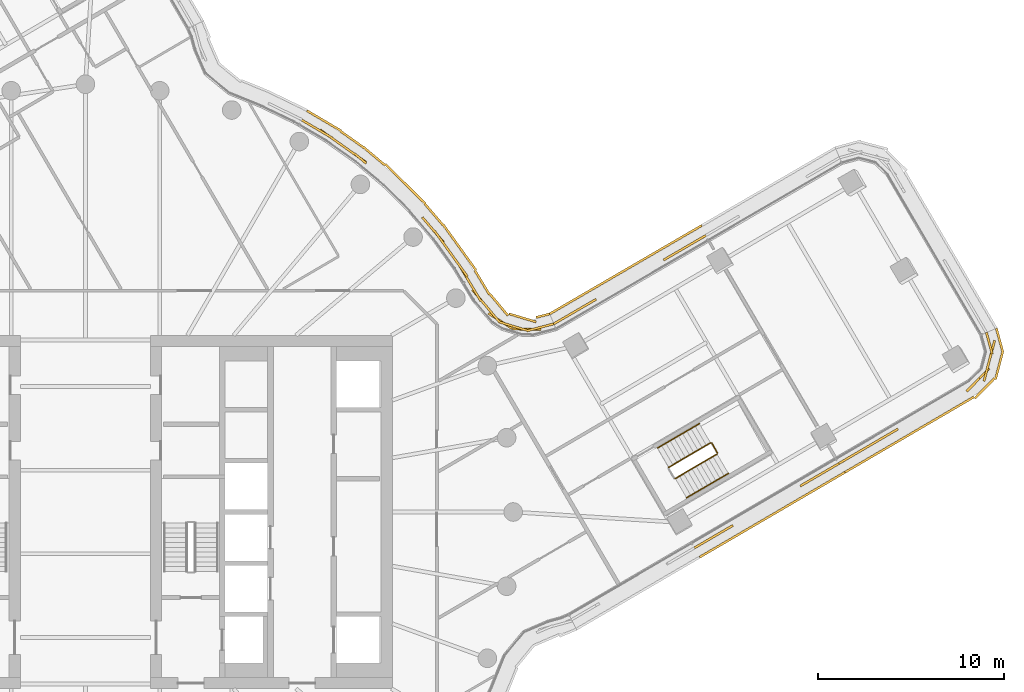
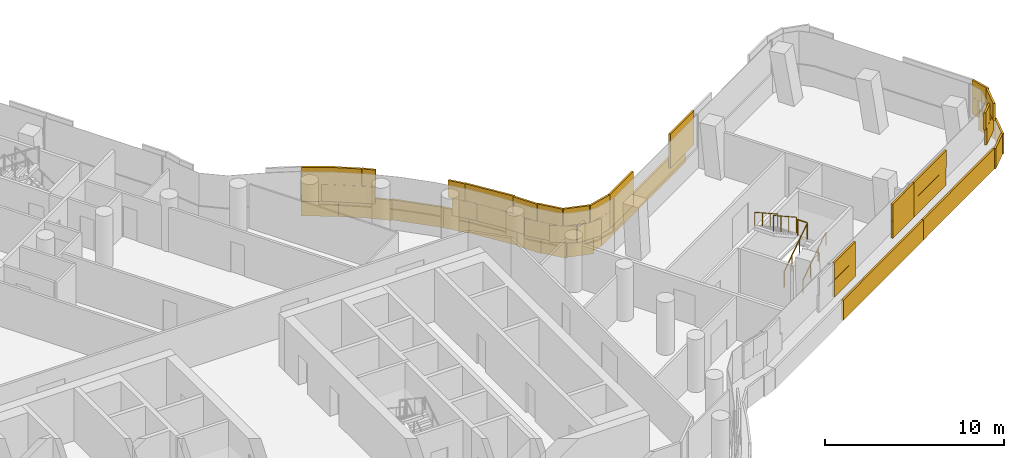
# One storey, part 32 of 35: 5 railings, 4 coverings.
"""IFC4 building model written with IfcOpenShell, lengths in metres."""

from ifc_helpers import new_model, si_unit, direction, frame, origin, origin_2d, place, context, subcontext, project, spatial, rectangle, circle, extrude, material, layer, layer_set, type_object, element, save


model = new_model("IFC4")

# Units and contexts
model_context = context("Model", 3, precision=1e-05, world=origin(), true_north=direction((0.0, 1.0)))
body_context = subcontext(model_context, "Body", "Model", "MODEL_VIEW")
ifc_project = project(units=[si_unit("LENGTHUNIT", "METRE"), si_unit("AREAUNIT", "SQUARE_METRE"), si_unit("VOLUMEUNIT", "CUBIC_METRE"), si_unit("PLANEANGLEUNIT", "RADIAN"), si_unit("MASSUNIT", "GRAM", prefix="KILO")], contexts=[model_context])

# Site, building, storey
site_placement = place(None, origin())
site = spatial("IfcSite", under=ifc_project, at=site_placement, CompositionType="ELEMENT")
building_placement = place(site_placement, origin())
building = spatial("IfcBuilding", under=site, at=building_placement, Name="Tamarind Cross Interchange Tower", CompositionType="ELEMENT")
storey_placement = place(building_placement, frame((0.0, 0.0, 144.25)))
storey = spatial("IfcBuildingStorey", under=building, at=storey_placement, Name="L35", CompositionType="ELEMENT", Elevation=144.25)

# Railings
ifc_material_1 = material(Name="Stair guard")
railing_type_1 = type_object("IfcRailingType", Name="Stair guard", PredefinedType="GUARDRAIL", material=ifc_material_1)
railing_1_placement = place(storey_placement, frame((31.7197265625, 1.799560546875, 0.17041015625)))
element("IfcRailing", 1, at=railing_1_placement, inside=storey, type_object=railing_type_1, Name="L35 ST3 stair guard 1", PredefinedType="GUARDRAIL", context=body_context, shape_type="SweptSolid", body=[
    extrude(circle(Radius=0.02392578125, at=origin_2d()), frame((0.0, 0.0, 1.076171875), z_axis=(0.722058741879, 0.421927310507, 0.548277774421), x_axis=(-0.504518932267, 0.863400629479, 0.0)), (0.0, 0.0, 1.0), 3.10888671875),
    extrude(circle(Radius=0.02099609375, at=origin_2d()), origin(), (0.0, 0.0, 1.0), 1.052001953125),
    extrude(circle(Radius=0.02099609375, at=origin_2d()), frame((0.748291015625, 0.437255859375, 0.568115234375)), (0.0, 0.0, 1.0), 1.052001953125),
    extrude(circle(Radius=0.02099609375, at=origin_2d()), frame((1.49658203125, 0.87451171875, 1.136474609375)), (0.0, 0.0, 1.0), 1.052001953125),
    extrude(circle(Radius=0.02099609375, at=origin_2d()), frame((2.244873046875, 1.311767578125, 1.70458984375)), (0.0, 0.0, 1.0), 1.052001953125),
])
railing_2_placement = place(storey_placement, frame((33.982666015625, 3.1796875, 1.875)))
element("IfcRailing", 2, at=railing_2_placement, inside=storey, type_object=railing_type_1, Name="L35 ST3 stair guard 2", PredefinedType="GUARDRAIL", context=body_context, shape_type="SweptSolid", body=[
    extrude(circle(Radius=0.02392578125, at=origin_2d()), frame((0.0, 0.0, 1.076171875), z_axis=(-0.504528630285, 0.863394962472, 0.0), x_axis=(-0.863394962472, -0.504528630285, 0.0)), (0.0, 0.0, 1.0), 0.60009765625),
    extrude(circle(Radius=0.02099609375, at=origin_2d()), origin(), (0.0, 0.0, 1.0), 1.052001953125),
    extrude(circle(Radius=0.02099609375, at=origin_2d()), frame((-0.302734375, 0.51806640625, 0.0)), (0.0, 0.0, 1.0), 1.052001953125),
])
railing_3_placement = place(storey_placement, frame((33.611572265625, 3.7158203125, 2.04541015625)))
element("IfcRailing", 3, at=railing_3_placement, inside=storey, type_object=railing_type_1, Name="L35 ST3 stair guard 3", PredefinedType="GUARDRAIL", context=body_context, shape_type="SweptSolid", body=[
    extrude(circle(Radius=0.02392578125, at=origin_2d()), frame((0.0, 0.0, 1.076171875), z_axis=(-0.722058741879, -0.421927310507, 0.548277774421), x_axis=(0.504518932267, -0.863400629479, 0.0)), (0.0, 0.0, 1.0), 3.10888671875),
    extrude(circle(Radius=0.02099609375, at=origin_2d()), origin(), (0.0, 0.0, 1.0), 1.052001953125),
    extrude(circle(Radius=0.02099609375, at=origin_2d()), frame((-0.748291015625, -0.437255859375, 0.568115234375)), (0.0, 0.0, 1.0), 1.052001953125),
    extrude(circle(Radius=0.02099609375, at=origin_2d()), frame((-1.49658203125, -0.87451171875, 1.136474609375)), (0.0, 0.0, 1.0), 1.052001953125),
    extrude(circle(Radius=0.02099609375, at=origin_2d()), frame((-2.244873046875, -1.311767578125, 1.70458984375)), (0.0, 0.0, 1.0), 1.052001953125),
])
ifc_material_2 = material(Name="Stair handrail")
railing_type_2 = type_object("IfcRailingType", Name="Stair handrail", PredefinedType="HANDRAIL", material=ifc_material_2)
railing_4_placement = place(storey_placement, frame((32.3251953125, 0.763427734375, 0.17041015625)))
element("IfcRailing", 4, at=railing_4_placement, inside=storey, type_object=railing_type_2, Name="L35 ST3 stair handrail 1", PredefinedType="HANDRAIL", context=body_context, shape_type="SweptSolid", body=[
    extrude(circle(Radius=0.02392578125, at=origin_2d()), frame((0.0, 0.0, 0.8759765625), z_axis=(0.722058741879, 0.421927310507, 0.548277774421), x_axis=(-0.504518932267, 0.863400629479, 0.0)), (0.0, 0.0, 1.0), 3.10888671875),
    extrude(circle(Radius=0.02099609375, at=origin_2d()), origin(), (0.0, 0.0, 1.0), 0.851806640625),
    extrude(circle(Radius=0.02099609375, at=origin_2d()), frame((0.748291015625, 0.437255859375, 0.568115234375)), (0.0, 0.0, 1.0), 0.851806640625),
    extrude(circle(Radius=0.02099609375, at=origin_2d()), frame((1.49658203125, 0.87451171875, 1.136474609375)), (0.0, 0.0, 1.0), 0.851806640625),
    extrude(circle(Radius=0.02099609375, at=origin_2d()), frame((2.244873046875, 1.311767578125, 1.70458984375)), (0.0, 0.0, 1.0), 0.851806640625),
])
railing_5_placement = place(storey_placement, frame((33.006103515625, 4.751708984375, 2.04541015625)))
element("IfcRailing", 5, at=railing_5_placement, inside=storey, type_object=railing_type_2, Name="L35 ST3 stair handrail 2", PredefinedType="HANDRAIL", context=body_context, shape_type="SweptSolid", body=[
    extrude(circle(Radius=0.02392578125, at=origin_2d()), frame((0.0, 0.0, 0.8759765625), z_axis=(-0.722058741879, -0.421927310507, 0.548277774421), x_axis=(0.504518932267, -0.863400629479, 0.0)), (0.0, 0.0, 1.0), 3.10888671875),
    extrude(circle(Radius=0.02099609375, at=origin_2d()), origin(), (0.0, 0.0, 1.0), 0.851806640625),
    extrude(circle(Radius=0.02099609375, at=origin_2d()), frame((-0.748291015625, -0.437255859375, 0.568115234375)), (0.0, 0.0, 1.0), 0.851806640625),
    extrude(circle(Radius=0.02099609375, at=origin_2d()), frame((-1.49658203125, -0.87451171875, 1.136474609375)), (0.0, 0.0, 1.0), 0.851806640625),
    extrude(circle(Radius=0.02099609375, at=origin_2d()), frame((-2.244873046875, -1.311767578125, 1.70458984375)), (0.0, 0.0, 1.0), 0.851806640625),
])

# Coverings
ifc_material_3 = material(Name="Terracotta", Category="masonry")
ifc_layer = layer(ifc_material_3, 0.1201171875)
ifc_layer_set = layer_set([ifc_layer], Name="Terracotta")
covering_type = type_object("IfcCoveringType", Name="Terracotta baguette screen unit", PredefinedType="MOLDING", material=ifc_layer_set)
covering_1_placement = place(storey_placement, origin())
element("IfcCovering", 6, at=covering_1_placement, inside=storey, type_object=covering_type, Name="SCR-L35-07-01", PredefinedType="MOLDING", context=body_context, shape_type="SweptSolid", body=[
    extrude(rectangle(XDim=0.61279296875, YDim=0.1201171875, at=origin_2d()), frame((33.003173828125, -1.7822265625, 1.404052734375), z_axis=(0.0, 0.0, 1.0), x_axis=(0.863402595057, 0.50451556849, 0.0)), (0.0, 0.0, 1.0), 1.1669921875),
    extrude(rectangle(XDim=1.52001953125, YDim=0.1201171875, at=origin_2d()), frame((33.910888671875, -1.251708984375, 1.404052734375), z_axis=(0.0, 0.0, 1.0), x_axis=(0.863402595057, 0.50451556849, 0.0)), (0.0, 0.0, 1.0), 1.1669921875),
    extrude(rectangle(XDim=0.310546875, YDim=0.1201171875, at=origin_2d()), frame((34.688232421875, -0.797607421875, 1.404052734375), z_axis=(0.0, 0.0, 1.0), x_axis=(0.863402595057, 0.50451556849, 0.0)), (0.0, 0.0, 1.0), 1.1669921875),
    extrude(rectangle(XDim=1.509521484375, YDim=0.1201171875, at=origin_2d()), frame((39.091552734375, 1.775390625, 1.404052734375), z_axis=(0.0, 0.0, 1.0), x_axis=(0.863402595057, 0.50451556849, 0.0)), (0.0, 0.0, 1.0), 1.1669921875),
    extrude(rectangle(XDim=0.91357421875, YDim=0.1201171875, at=origin_2d()), frame((40.12890625, 2.381591796875, 1.404052734375), z_axis=(0.0, 0.0, 1.0), x_axis=(0.863402595057, 0.50451556849, 0.0)), (0.0, 0.0, 1.0), 1.1669921875),
    extrude(rectangle(XDim=1.36279296875, YDim=0.1201171875, at=origin_2d()), frame((33.326904296875, -1.593017578125, 2.5791015625), z_axis=(0.0, 0.0, 1.0), x_axis=(0.863402595057, 0.50451556849, 0.0)), (0.0, 0.0, 1.0), 1.1669921875),
    extrude(rectangle(XDim=1.060546875, YDim=0.1201171875, at=origin_2d()), frame((34.3642578125, -0.98681640625, 2.5791015625), z_axis=(0.0, 0.0, 1.0), x_axis=(0.863402595057, 0.50451556849, 0.0)), (0.0, 0.0, 1.0), 1.1669921875),
    extrude(rectangle(XDim=0.759521484375, YDim=0.1201171875, at=origin_2d()), frame((38.767822265625, 1.586181640625, 2.5791015625), z_axis=(0.0, 0.0, 1.0), x_axis=(0.863402595057, 0.50451556849, 0.0)), (0.0, 0.0, 1.0), 1.1669921875),
    extrude(rectangle(XDim=1.52001953125, YDim=0.1201171875, at=origin_2d()), frame((39.73876953125, 2.15380859375, 2.5791015625), z_axis=(0.0, 0.0, 1.0), x_axis=(0.863402595057, 0.50451556849, 0.0)), (0.0, 0.0, 1.0), 1.1669921875),
    extrude(rectangle(XDim=0.16357421875, YDim=0.1201171875, at=origin_2d()), frame((40.45263671875, 2.57080078125, 2.5791015625), z_axis=(0.0, 0.0, 1.0), x_axis=(0.863402595057, 0.50451556849, 0.0)), (0.0, 0.0, 1.0), 1.1669921875),
    extrude(rectangle(XDim=0.578125, YDim=0.1201171875, at=origin_2d()), frame((33.279541015625, -2.285400390625, 0.00390625), z_axis=(0.0, 0.0, 1.0), x_axis=(0.863402595057, 0.50451556849, 0.0)), (0.0, 0.0, 1.0), 1.39208984375),
    extrude(rectangle(XDim=1.52001953125, YDim=0.1201171875, at=origin_2d()), frame((34.16796875, -1.766357421875, 0.00390625), z_axis=(0.0, 0.0, 1.0), x_axis=(0.863402595057, 0.50451556849, 0.0)), (0.0, 0.0, 1.0), 1.39208984375),
    extrude(rectangle(XDim=1.52001953125, YDim=0.1201171875, at=origin_2d()), frame((35.463134765625, -1.009521484375, 0.00390625), z_axis=(0.0, 0.0, 1.0), x_axis=(0.863402595057, 0.50451556849, 0.0)), (0.0, 0.0, 1.0), 1.39208984375),
    extrude(rectangle(XDim=1.52001953125, YDim=0.1201171875, at=origin_2d()), frame((36.75830078125, -0.252685546875, 0.00390625), z_axis=(0.0, 0.0, 1.0), x_axis=(0.863402595057, 0.50451556849, 0.0)), (0.0, 0.0, 1.0), 1.39208984375),
    extrude(rectangle(XDim=1.52001953125, YDim=0.1201171875, at=origin_2d()), frame((38.05322265625, 0.50390625, 0.00390625), z_axis=(0.0, 0.0, 1.0), x_axis=(0.863402595057, 0.50451556849, 0.0)), (0.0, 0.0, 1.0), 1.39208984375),
    extrude(rectangle(XDim=1.52001953125, YDim=0.1201171875, at=origin_2d()), frame((39.348388671875, 1.2607421875, 0.00390625), z_axis=(0.0, 0.0, 1.0), x_axis=(0.863402595057, 0.50451556849, 0.0)), (0.0, 0.0, 1.0), 1.39208984375),
    extrude(rectangle(XDim=0.989013671875, YDim=0.1201171875, at=origin_2d()), frame((40.414306640625, 1.883544921875, 0.00390625), z_axis=(0.0, 0.0, 1.0), x_axis=(0.863402595057, 0.50451556849, 0.0)), (0.0, 0.0, 1.0), 1.39208984375),
])
covering_2_placement = place(storey_placement, origin())
element("IfcCovering", 7, at=covering_2_placement, inside=storey, type_object=covering_type, Name="SCR-L35-07-02", PredefinedType="MOLDING", context=body_context, shape_type="SweptSolid", body=[
    extrude(rectangle(XDim=0.6064453125, YDim=0.1201171875, at=origin_2d()), frame((40.776611328125, 2.760009765625, 1.404052734375), z_axis=(0.0, 0.0, 1.0), x_axis=(0.863402595057, 0.50451556849, 0.0)), (0.0, 0.0, 1.0), 1.1669921875),
    extrude(rectangle(XDim=1.52001953125, YDim=0.1201171875, at=origin_2d()), frame((41.681396484375, 3.288818359375, 1.404052734375), z_axis=(0.0, 0.0, 1.0), x_axis=(0.863402595057, 0.50451556849, 0.0)), (0.0, 0.0, 1.0), 1.1669921875),
    extrude(rectangle(XDim=1.52001953125, YDim=0.1201171875, at=origin_2d()), frame((42.9765625, 4.045654296875, 1.404052734375), z_axis=(0.0, 0.0, 1.0), x_axis=(0.863402595057, 0.50451556849, 0.0)), (0.0, 0.0, 1.0), 1.1669921875),
    extrude(rectangle(XDim=1.52001953125, YDim=0.1201171875, at=origin_2d()), frame((48.07275390625, 7.181396484375, 1.404052734375), z_axis=(0.0, 0.0, 1.0), x_axis=(0.703404627375, 0.710789652561, 0.0)), (0.0, 0.0, 1.0), 1.1669921875),
    extrude(rectangle(XDim=1.52001953125, YDim=0.1201171875, at=origin_2d()), frame((48.698486328125, 8.492431640625, 1.404052734375), z_axis=(0.0, 0.0, 1.0), x_axis=(0.253771450166, 0.967264209552, 0.0)), (0.0, 0.0, 1.0), 1.1669921875),
    extrude(rectangle(XDim=0.459716796875, YDim=0.1201171875, at=origin_2d()), frame((48.5078125, 9.43310546875, 1.404052734375), z_axis=(0.0, 0.0, 1.0), x_axis=(-0.263859582177, 0.964561102727, 0.0)), (0.0, 0.0, 1.0), 1.1669921875),
    extrude(rectangle(XDim=1.3564453125, YDim=0.1201171875, at=origin_2d()), frame((41.100341796875, 2.94921875, 2.5791015625), z_axis=(0.0, 0.0, 1.0), x_axis=(0.863402595057, 0.50451556849, 0.0)), (0.0, 0.0, 1.0), 1.1669921875),
    extrude(rectangle(XDim=1.52001953125, YDim=0.1201171875, at=origin_2d()), frame((42.3291015625, 3.667236328125, 2.5791015625), z_axis=(0.0, 0.0, 1.0), x_axis=(0.863402595057, 0.50451556849, 0.0)), (0.0, 0.0, 1.0), 1.1669921875),
    extrude(rectangle(XDim=0.836669921875, YDim=0.1201171875, at=origin_2d()), frame((43.33349609375, 4.254150390625, 2.5791015625), z_axis=(0.0, 0.0, 1.0), x_axis=(0.863402595057, 0.50451556849, 0.0)), (0.0, 0.0, 1.0), 1.1669921875),
    extrude(rectangle(XDim=0.9833984375, YDim=0.1201171875, at=origin_2d()), frame((47.73046875, 6.83544921875, 2.5791015625), z_axis=(0.0, 0.0, 1.0), x_axis=(0.703404627375, 0.710789652561, 0.0)), (0.0, 0.0, 1.0), 1.1669921875),
    extrude(rectangle(XDim=1.52001953125, YDim=0.1201171875, at=origin_2d()), frame((48.50830078125, 7.766845703125, 2.5791015625), z_axis=(0.0, 0.0, 1.0), x_axis=(0.253771450166, 0.967264209552, 0.0)), (0.0, 0.0, 1.0), 1.1669921875),
    extrude(rectangle(XDim=1.209716796875, YDim=0.1201171875, at=origin_2d()), frame((48.606689453125, 9.0712890625, 2.5791015625), z_axis=(0.0, 0.0, 1.0), x_axis=(-0.263859582177, 0.964561102727, 0.0)), (0.0, 0.0, 1.0), 1.1669921875),
    extrude(rectangle(XDim=0.531005859375, YDim=0.1201171875, at=origin_2d()), frame((41.070556640625, 2.26708984375, 0.00390625), z_axis=(0.0, 0.0, 1.0), x_axis=(0.863402595057, 0.50451556849, 0.0)), (0.0, 0.0, 1.0), 1.39208984375),
    extrude(rectangle(XDim=1.52001953125, YDim=0.1201171875, at=origin_2d()), frame((41.938720703125, 2.7744140625, 0.00390625), z_axis=(0.0, 0.0, 1.0), x_axis=(0.863402595057, 0.50451556849, 0.0)), (0.0, 0.0, 1.0), 1.39208984375),
    extrude(rectangle(XDim=1.52001953125, YDim=0.1201171875, at=origin_2d()), frame((43.233642578125, 3.531005859375, 0.00390625), z_axis=(0.0, 0.0, 1.0), x_axis=(0.863402595057, 0.50451556849, 0.0)), (0.0, 0.0, 1.0), 1.39208984375),
    extrude(rectangle(XDim=1.52001953125, YDim=0.1201171875, at=origin_2d()), frame((44.52880859375, 4.287841796875, 0.00390625), z_axis=(0.0, 0.0, 1.0), x_axis=(0.863402595057, 0.50451556849, 0.0)), (0.0, 0.0, 1.0), 1.39208984375),
    extrude(rectangle(XDim=1.52001953125, YDim=0.1201171875, at=origin_2d()), frame((45.823974609375, 5.044677734375, 0.00390625), z_axis=(0.0, 0.0, 1.0), x_axis=(0.863402595057, 0.50451556849, 0.0)), (0.0, 0.0, 1.0), 1.39208984375),
    extrude(rectangle(XDim=1.52001953125, YDim=0.1201171875, at=origin_2d()), frame((47.119140625, 5.801513671875, 0.00390625), z_axis=(0.0, 0.0, 1.0), x_axis=(0.863402595057, 0.50451556849, 0.0)), (0.0, 0.0, 1.0), 1.39208984375),
    extrude(rectangle(XDim=1.52001953125, YDim=0.1201171875, at=origin_2d()), frame((48.34814453125, 6.643310546875, 0.00390625), z_axis=(0.0, 0.0, 1.0), x_axis=(0.703404627375, 0.710789652561, 0.0)), (0.0, 0.0, 1.0), 1.39208984375),
    extrude(rectangle(XDim=1.52001953125, YDim=0.1201171875, at=origin_2d()), frame((49.1279296875, 7.86669921875, 0.00390625), z_axis=(0.0, 0.0, 1.0), x_axis=(0.253771450166, 0.967264209552, 0.0)), (0.0, 0.0, 1.0), 1.39208984375),
    extrude(rectangle(XDim=1.33935546875, YDim=0.1201171875, at=origin_2d()), frame((49.158935546875, 9.228515625, 0.00390625), z_axis=(0.0, 0.0, 1.0), x_axis=(-0.263859582177, 0.964561102727, 0.0)), (0.0, 0.0, 1.0), 1.39208984375),
])
covering_3_placement = place(storey_placement, origin())
element("IfcCovering", 8, at=covering_3_placement, inside=storey, type_object=covering_type, Name="SCR-L35-09-01", PredefinedType="MOLDING", context=body_context, shape_type="SweptSolid", body=[
    extrude(rectangle(XDim=1.446044921875, YDim=0.1201171875, at=origin_2d()), frame((32.740966796875, 14.509765625, 1.404052734375), z_axis=(0.0, 0.0, 1.0), x_axis=(-0.864456031525, -0.502708433946, 0.0)), (0.0, 0.0, 1.0), 1.1669921875),
    extrude(rectangle(XDim=1.201416015625, YDim=0.1201171875, at=origin_2d()), frame((31.60546875, 13.849365234375, 1.404052734375), z_axis=(0.0, 0.0, 1.0), x_axis=(-0.864456031525, -0.502708433946, 0.0)), (0.0, 0.0, 1.0), 1.1669921875),
    extrude(rectangle(XDim=0.61865234375, YDim=0.1201171875, at=origin_2d()), frame((27.19677734375, 11.28564453125, 1.404052734375), z_axis=(0.0, 0.0, 1.0), x_axis=(-0.864456031525, -0.502708433946, 0.0)), (0.0, 0.0, 1.0), 1.1669921875),
    extrude(rectangle(XDim=1.52001953125, YDim=0.1201171875, at=origin_2d()), frame((26.28515625, 10.755615234375, 1.404052734375), z_axis=(0.0, 0.0, 1.0), x_axis=(-0.864456031525, -0.502708433946, 0.0)), (0.0, 0.0, 1.0), 1.1669921875),
    extrude(rectangle(XDim=0.528564453125, YDim=0.1201171875, at=origin_2d()), frame((25.41259765625, 10.248291015625, 1.404052734375), z_axis=(0.0, 0.0, 1.0), x_axis=(-0.864456031525, -0.502708433946, 0.0)), (0.0, 0.0, 1.0), 1.1669921875),
    extrude(rectangle(XDim=0.696044921875, YDim=0.1201171875, at=origin_2d()), frame((33.065185546875, 14.698486328125, 2.5791015625), z_axis=(0.0, 0.0, 1.0), x_axis=(-0.864456031525, -0.502708433946, 0.0)), (0.0, 0.0, 1.0), 1.1669921875),
    extrude(rectangle(XDim=1.52001953125, YDim=0.1201171875, at=origin_2d()), frame((32.120361328125, 14.14892578125, 2.5791015625), z_axis=(0.0, 0.0, 1.0), x_axis=(-0.864456031525, -0.502708433946, 0.0)), (0.0, 0.0, 1.0), 1.1669921875),
    extrude(rectangle(XDim=0.451416015625, YDim=0.1201171875, at=origin_2d()), frame((31.28125, 13.660888671875, 2.5791015625), z_axis=(0.0, 0.0, 1.0), x_axis=(-0.864456031525, -0.502708433946, 0.0)), (0.0, 0.0, 1.0), 1.1669921875),
    extrude(rectangle(XDim=1.36865234375, YDim=0.1201171875, at=origin_2d()), frame((26.87255859375, 11.09716796875, 2.5791015625), z_axis=(0.0, 0.0, 1.0), x_axis=(-0.864456031525, -0.502708433946, 0.0)), (0.0, 0.0, 1.0), 1.1669921875),
    extrude(rectangle(XDim=1.278564453125, YDim=0.1201171875, at=origin_2d()), frame((25.73681640625, 10.436767578125, 2.5791015625), z_axis=(0.0, 0.0, 1.0), x_axis=(-0.864456031525, -0.502708433946, 0.0)), (0.0, 0.0, 1.0), 1.1669921875),
    extrude(rectangle(XDim=1.44775390625, YDim=0.1201171875, at=origin_2d()), frame((32.513671875, 15.041748046875, 0.00390625), z_axis=(0.0, 0.0, 1.0), x_axis=(-0.864456031525, -0.502708433946, 0.0)), (0.0, 0.0, 1.0), 1.39208984375),
    extrude(rectangle(XDim=1.52001953125, YDim=0.1201171875, at=origin_2d()), frame((31.248291015625, 14.3056640625, 0.00390625), z_axis=(0.0, 0.0, 1.0), x_axis=(-0.864456031525, -0.502708433946, 0.0)), (0.0, 0.0, 1.0), 1.39208984375),
    extrude(rectangle(XDim=1.52001953125, YDim=0.1201171875, at=origin_2d()), frame((29.951416015625, 13.5517578125, 0.00390625), z_axis=(0.0, 0.0, 1.0), x_axis=(-0.864456031525, -0.502708433946, 0.0)), (0.0, 0.0, 1.0), 1.39208984375),
    extrude(rectangle(XDim=1.52001953125, YDim=0.1201171875, at=origin_2d()), frame((28.65478515625, 12.797607421875, 0.00390625), z_axis=(0.0, 0.0, 1.0), x_axis=(-0.864456031525, -0.502708433946, 0.0)), (0.0, 0.0, 1.0), 1.39208984375),
    extrude(rectangle(XDim=1.52001953125, YDim=0.1201171875, at=origin_2d()), frame((27.358154296875, 12.043701171875, 0.00390625), z_axis=(0.0, 0.0, 1.0), x_axis=(-0.864456031525, -0.502708433946, 0.0)), (0.0, 0.0, 1.0), 1.39208984375),
    extrude(rectangle(XDim=1.52001953125, YDim=0.1201171875, at=origin_2d()), frame((26.0615234375, 11.28955078125, 0.00390625), z_axis=(0.0, 0.0, 1.0), x_axis=(-0.864456031525, -0.502708433946, 0.0)), (0.0, 0.0, 1.0), 1.39208984375),
    extrude(rectangle(XDim=0.525146484375, YDim=0.1201171875, at=origin_2d()), frame((25.19482421875, 10.78564453125, 0.00390625), z_axis=(0.0, 0.0, 1.0), x_axis=(-0.864456031525, -0.502708433946, 0.0)), (0.0, 0.0, 1.0), 1.39208984375),
])
covering_4_placement = place(storey_placement, origin())
element("IfcCovering", 9, at=covering_4_placement, inside=storey, type_object=covering_type, Name="SCR-L35-10-00", PredefinedType="MOLDING", context=body_context, shape_type="SweptSolid", body=[
    extrude(rectangle(XDim=0.760009765625, YDim=0.1201171875, at=origin_2d()), frame((24.82568359375, 10.0234375, 1.404052734375), z_axis=(0.0, 0.0, 1.0), x_axis=(-0.967746825064, -0.251924755788, 0.0)), (0.0, 0.0, 1.0), 1.1669921875),
    extrude(rectangle(XDim=1.52001953125, YDim=0.1201171875, at=origin_2d()), frame((23.726806640625, 9.8251953125, 1.404052734375), z_axis=(0.0, 0.0, 1.0), x_axis=(-0.999810202452, 0.019482275841, 0.0)), (0.0, 0.0, 1.0), 1.1669921875),
    extrude(rectangle(XDim=1.52001953125, YDim=0.1201171875, at=origin_2d()), frame((22.3125, 10.271728515625, 1.404052734375), z_axis=(0.0, 0.0, 1.0), x_axis=(-0.843092678622, 0.537768291418, 0.0)), (0.0, 0.0, 1.0), 1.1669921875),
    extrude(rectangle(XDim=1.52001953125, YDim=0.1201171875, at=origin_2d()), frame((21.298583984375, 11.3642578125, 1.404052734375), z_axis=(0.0, 0.0, 1.0), x_axis=(-0.643207721131, 0.765691731363, 0.0)), (0.0, 0.0, 1.0), 1.1669921875),
    extrude(rectangle(XDim=1.52001953125, YDim=0.1201171875, at=origin_2d()), frame((20.489990234375, 12.624267578125, 1.404052734375), z_axis=(0.0, 0.0, 1.0), x_axis=(-0.515602205046, 0.856828084362, 0.0)), (0.0, 0.0, 1.0), 1.1669921875),
    extrude(rectangle(XDim=1.52001953125, YDim=0.1201171875, at=origin_2d()), frame((19.664306640625, 13.875, 1.404052734375), z_axis=(0.0, 0.0, 1.0), x_axis=(-0.584573890505, 0.811340475102, 0.0)), (0.0, 0.0, 1.0), 1.1669921875),
    extrude(rectangle(XDim=1.52001953125, YDim=0.1201171875, at=origin_2d()), frame((18.77001953125, 15.078369140625, 1.404052734375), z_axis=(0.0, 0.0, 1.0), x_axis=(-0.64957723968, 0.760295606781, 0.0)), (0.0, 0.0, 1.0), 1.1669921875),
    extrude(rectangle(XDim=1.52001953125, YDim=0.1201171875, at=origin_2d()), frame((14.471435546875, 19.240966796875, 1.404052734375), z_axis=(0.0, 0.0, 1.0), x_axis=(-0.816341886298, 0.577568978284, 0.0)), (0.0, 0.0, 1.0), 1.1669921875),
    extrude(rectangle(XDim=1.52001953125, YDim=0.1201171875, at=origin_2d()), frame((13.246826171875, 20.107421875, 1.404052734375), z_axis=(0.0, 0.0, 1.0), x_axis=(-0.816341886298, 0.577568978284, 0.0)), (0.0, 0.0, 1.0), 1.1669921875),
    extrude(rectangle(XDim=1.143310546875, YDim=0.1201171875, at=origin_2d()), frame((12.121826171875, 20.7900390625, 1.404052734375), z_axis=(0.0, 0.0, 1.0), x_axis=(-0.861248933065, 0.508183308752, 0.0)), (0.0, 0.0, 1.0), 1.1669921875),
    extrude(rectangle(XDim=1.510009765625, YDim=0.1201171875, at=origin_2d()), frame((24.462646484375, 9.928955078125, 2.5791015625), z_axis=(0.0, 0.0, 1.0), x_axis=(-0.967746825064, -0.251924755788, 0.0)), (0.0, 0.0, 1.0), 1.1669921875),
    extrude(rectangle(XDim=1.52001953125, YDim=0.1201171875, at=origin_2d()), frame((23.000732421875, 9.990234375, 2.5791015625), z_axis=(0.0, 0.0, 1.0), x_axis=(-0.957197918797, 0.28943417948, 0.0)), (0.0, 0.0, 1.0), 1.1669921875),
    extrude(rectangle(XDim=1.52001953125, YDim=0.1201171875, at=origin_2d()), frame((21.781005859375, 10.7900390625, 2.5791015625), z_axis=(0.0, 0.0, 1.0), x_axis=(-0.643207721131, 0.765691731363, 0.0)), (0.0, 0.0, 1.0), 1.1669921875),
    extrude(rectangle(XDim=1.52001953125, YDim=0.1201171875, at=origin_2d()), frame((20.876708984375, 11.981689453125, 2.5791015625), z_axis=(0.0, 0.0, 1.0), x_axis=(-0.515602205046, 0.856828084362, 0.0)), (0.0, 0.0, 1.0), 1.1669921875),
    extrude(rectangle(XDim=1.52001953125, YDim=0.1201171875, at=origin_2d()), frame((20.102783203125, 13.2666015625, 2.5791015625), z_axis=(0.0, 0.0, 1.0), x_axis=(-0.584573890505, 0.811340475102, 0.0)), (0.0, 0.0, 1.0), 1.1669921875),
    extrude(rectangle(XDim=1.52001953125, YDim=0.1201171875, at=origin_2d()), frame((19.225830078125, 14.483642578125, 2.5791015625), z_axis=(0.0, 0.0, 1.0), x_axis=(-0.584573890505, 0.811340475102, 0.0)), (0.0, 0.0, 1.0), 1.1669921875),
    extrude(rectangle(XDim=1.01708984375, YDim=0.1201171875, at=origin_2d()), frame((18.443115234375, 15.46142578125, 2.5791015625), z_axis=(0.0, 0.0, 1.0), x_axis=(-0.64957723968, 0.760295606781, 0.0)), (0.0, 0.0, 1.0), 1.1669921875),
    extrude(rectangle(XDim=0.802978515625, YDim=0.1201171875, at=origin_2d()), frame((14.7900390625, 19.00537109375, 2.5791015625), z_axis=(0.0, 0.0, 1.0), x_axis=(-0.765858396687, 0.643009266048, 0.0)), (0.0, 0.0, 1.0), 1.1669921875),
    extrude(rectangle(XDim=1.52001953125, YDim=0.1201171875, at=origin_2d()), frame((13.859130859375, 19.674072265625, 2.5791015625), z_axis=(0.0, 0.0, 1.0), x_axis=(-0.816341886298, 0.577568978284, 0.0)), (0.0, 0.0, 1.0), 1.1669921875),
    extrude(rectangle(XDim=1.52001953125, YDim=0.1201171875, at=origin_2d()), frame((12.60986328125, 20.501953125, 2.5791015625), z_axis=(0.0, 0.0, 1.0), x_axis=(-0.861248933065, 0.508183308752, 0.0)), (0.0, 0.0, 1.0), 1.1669921875),
    extrude(rectangle(XDim=0.393310546875, YDim=0.1201171875, at=origin_2d()), frame((11.798828125, 20.980712890625, 2.5791015625), z_axis=(0.0, 0.0, 1.0), x_axis=(-0.861248933065, 0.508183308752, 0.0)), (0.0, 0.0, 1.0), 1.1669921875),
    extrude(rectangle(XDim=0.760009765625, YDim=0.1201171875, at=origin_2d()), frame((24.60009765625, 10.557861328125, 0.00390625), z_axis=(0.0, 0.0, 1.0), x_axis=(-0.967746825064, -0.251924755788, 0.0)), (0.0, 0.0, 1.0), 1.39208984375),
    extrude(rectangle(XDim=1.52001953125, YDim=0.1201171875, at=origin_2d()), frame((23.50634765625, 10.436767578125, 0.00390625), z_axis=(0.0, 0.0, 1.0), x_axis=(-0.957197918797, 0.28943417948, 0.0)), (0.0, 0.0, 1.0), 1.39208984375),
    extrude(rectangle(XDim=1.52001953125, YDim=0.1201171875, at=origin_2d()), frame((22.233642578125, 11.1435546875, 0.00390625), z_axis=(0.0, 0.0, 1.0), x_axis=(-0.643207721131, 0.765691731363, 0.0)), (0.0, 0.0, 1.0), 1.39208984375),
    extrude(rectangle(XDim=1.52001953125, YDim=0.1201171875, at=origin_2d()), frame((21.33251953125, 12.337646484375, 0.00390625), z_axis=(0.0, 0.0, 1.0), x_axis=(-0.515602205046, 0.856828084362, 0.0)), (0.0, 0.0, 1.0), 1.39208984375),
    extrude(rectangle(XDim=1.52001953125, YDim=0.1201171875, at=origin_2d()), frame((20.55517578125, 13.620361328125, 0.00390625), z_axis=(0.0, 0.0, 1.0), x_axis=(-0.584573890505, 0.811340475102, 0.0)), (0.0, 0.0, 1.0), 1.39208984375),
    extrude(rectangle(XDim=1.52001953125, YDim=0.1201171875, at=origin_2d()), frame((19.678466796875, 14.83740234375, 0.00390625), z_axis=(0.0, 0.0, 1.0), x_axis=(-0.584573890505, 0.811340475102, 0.0)), (0.0, 0.0, 1.0), 1.39208984375),
    extrude(rectangle(XDim=1.52001953125, YDim=0.1201171875, at=origin_2d()), frame((18.735595703125, 16.00244140625, 0.00390625), z_axis=(0.0, 0.0, 1.0), x_axis=(-0.64957723968, 0.760295606781, 0.0)), (0.0, 0.0, 1.0), 1.39208984375),
    extrude(rectangle(XDim=1.52001953125, YDim=0.1201171875, at=origin_2d()), frame((17.732177734375, 17.1162109375, 0.00390625), z_axis=(0.0, 0.0, 1.0), x_axis=(-0.710143317658, 0.704057148523, 0.0)), (0.0, 0.0, 1.0), 1.39208984375),
    extrude(rectangle(XDim=1.52001953125, YDim=0.1201171875, at=origin_2d()), frame((16.6669921875, 18.172119140625, 0.00390625), z_axis=(0.0, 0.0, 1.0), x_axis=(-0.710143317658, 0.704057148523, 0.0)), (0.0, 0.0, 1.0), 1.39208984375),
    extrude(rectangle(XDim=1.52001953125, YDim=0.1201171875, at=origin_2d()), frame((15.521728515625, 19.140380859375, 0.00390625), z_axis=(0.0, 0.0, 1.0), x_axis=(-0.765858396687, 0.643009266048, 0.0)), (0.0, 0.0, 1.0), 1.39208984375),
    extrude(rectangle(XDim=1.52001953125, YDim=0.1201171875, at=origin_2d()), frame((14.327392578125, 20.0458984375, 0.00390625), z_axis=(0.0, 0.0, 1.0), x_axis=(-0.816341886298, 0.577568978284, 0.0)), (0.0, 0.0, 1.0), 1.39208984375),
    extrude(rectangle(XDim=1.52001953125, YDim=0.1201171875, at=origin_2d()), frame((13.086669921875, 20.88720703125, 0.00390625), z_axis=(0.0, 0.0, 1.0), x_axis=(-0.861248933065, 0.508183308752, 0.0)), (0.0, 0.0, 1.0), 1.39208984375),
    extrude(rectangle(XDim=0.624755859375, YDim=0.1201171875, at=origin_2d()), frame((12.18017578125, 21.422119140625, 0.00390625), z_axis=(0.0, 0.0, 1.0), x_axis=(-0.861248933065, 0.508183308752, 0.0)), (0.0, 0.0, 1.0), 1.39208984375),
])

save(model, "model.ifc")
